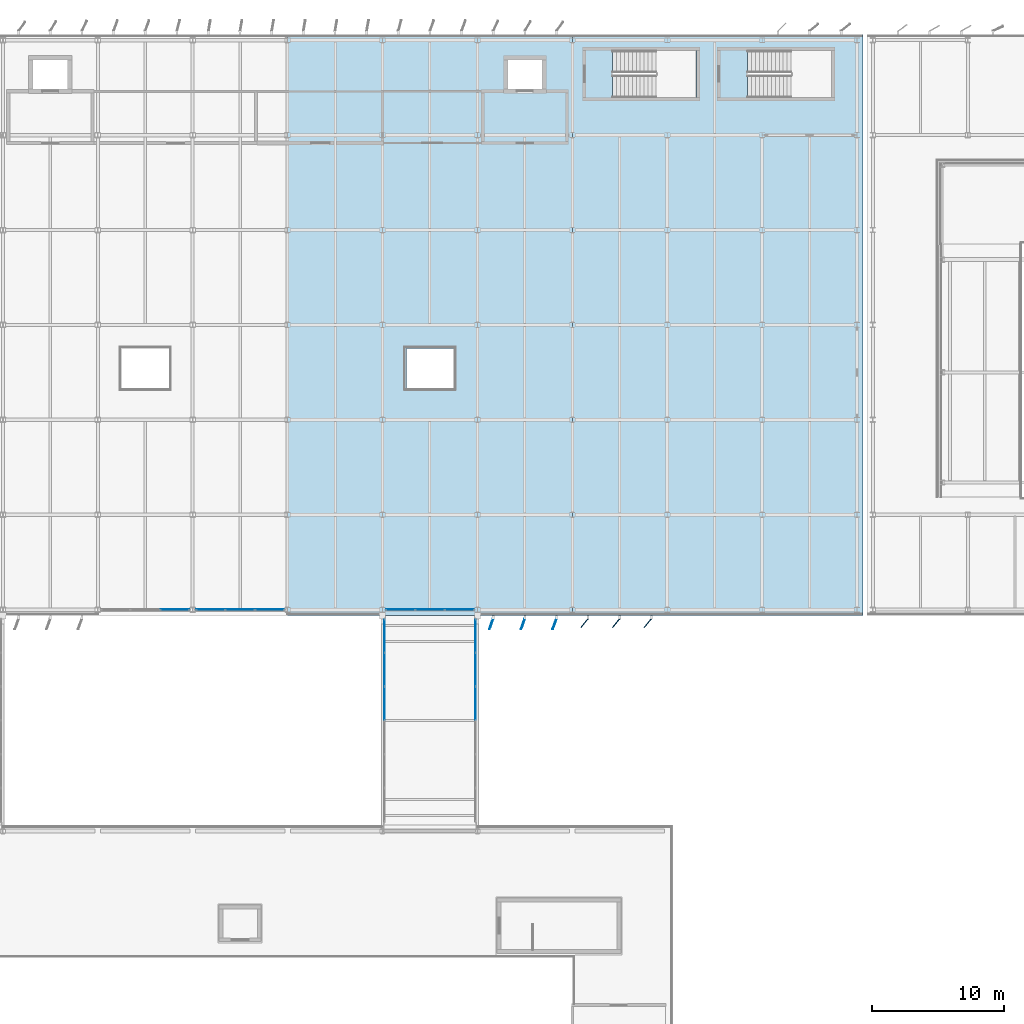
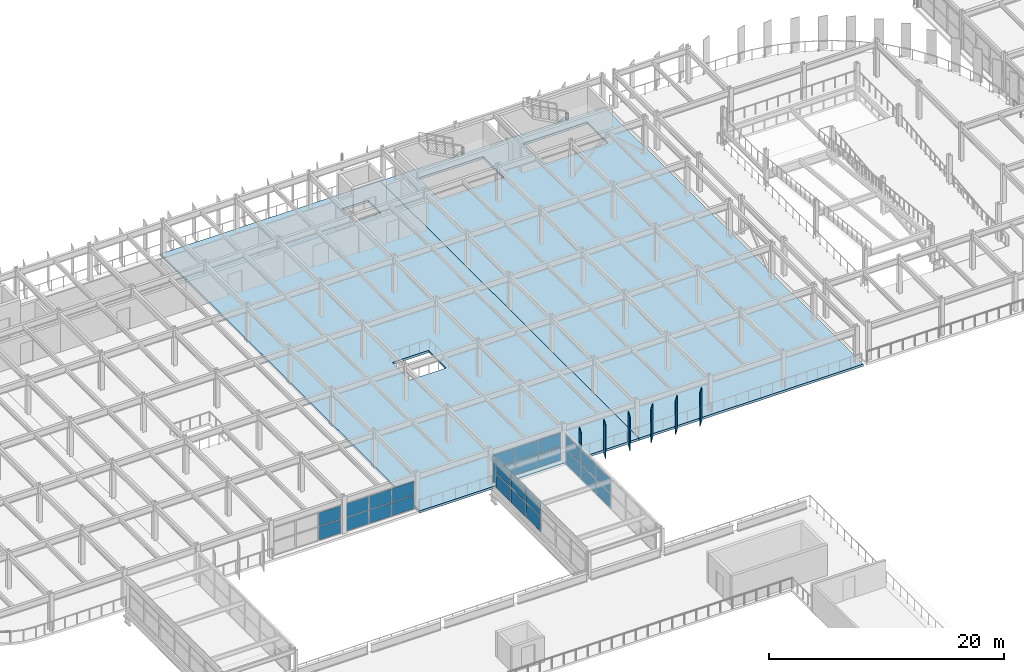
# One storey, part 54 of 93: 32 plates, 2 slabs, 5 elements without a shape of their own.
"""IFC4 building model written with IfcOpenShell, lengths in metres."""

import ifcopenshell
import ifcopenshell.guid

model = None  # the IFC model being written
_history = None  # IfcOwnerHistory: only IFC2X3 demands one
_inside = {}  # id of a spatial element -> (the spatial element, [elements in it])
_under = {}  # id of a project, library or spatial element -> (it, [spatial elements below it])
_declared = {}  # id of a project -> (the project, [libraries it declares])
_typed = {}  # id of a type object -> (the type object, [elements of that type])
_made_of = {}  # id of a material, layer set ... -> (it, [elements and type objects made of it])


def new_model(schema):
    """Start an empty IFC model of exactly this schema.

    Asked for "IFC4X3", IfcOpenShell would pick the latest addendum, in which some entities
    have other attributes; the version numbers below select the first issue.
    IFC2X3 requires an IfcOwnerHistory on every rooted entity: one is made here for all.
    """
    global model, _history
    if schema == "IFC4X3":
        model = ifcopenshell.file(schema_version=(4, 3, 0, 0))
    else:
        model = ifcopenshell.file(schema=schema)
    _inside.clear()
    _under.clear()
    _declared.clear()
    _typed.clear()
    _made_of.clear()
    _history = None
    if model.schema == "IFC2X3":
        org = make("IfcOrganization", Name="unknown")
        user = make(
            "IfcPersonAndOrganization",
            ThePerson=make("IfcPerson", FamilyName="unknown"),
            TheOrganization=org,
        )
        app = make(
            "IfcApplication",
            ApplicationDeveloper=org,
            Version="unknown",
            ApplicationFullName="unknown",
            ApplicationIdentifier="unknown",
        )
        _history = make(
            "IfcOwnerHistory",
            OwningUser=user,
            OwningApplication=app,
            ChangeAction="ADDED",
            CreationDate=0,
        )
    return model


def make(cls, **values):
    """One entity of the class cls with the attributes given. An attribute that is None is left unset."""
    return model.create_entity(
        cls, **{name: value for name, value in values.items() if value is not None}
    )


def rooted(cls, **values):
    """An entity with a GlobalId (a new one), such as an element, a storey or a relation."""
    return make(cls, GlobalId=ifcopenshell.guid.new(), OwnerHistory=_history, **values)


def si_unit(unit_type, name, prefix=None):
    """IfcSIUnit, for example si_unit("LENGTHUNIT", "METRE", prefix="MILLI")."""
    return make("IfcSIUnit", UnitType=unit_type, Prefix=prefix, Name=name)


def assignment(units):
    """IfcUnitAssignment: the units of a project."""
    return None if units is None else make("IfcUnitAssignment", Units=units)


def point(xyz):
    """IfcCartesianPoint."""
    return None if xyz is None else make("IfcCartesianPoint", Coordinates=xyz)


def direction(xyz):
    """IfcDirection."""
    return None if xyz is None else make("IfcDirection", DirectionRatios=xyz)


def frame(location, z_axis=None, x_axis=None):
    """IfcAxis2Placement3D, a coordinate frame: its origin and axes. An axis left out is left unset."""
    return make(
        "IfcAxis2Placement3D",
        Location=point(location),
        Axis=direction(z_axis),
        RefDirection=direction(x_axis),
    )


def frame_2d(location, x_axis=None):
    """IfcAxis2Placement2D, a coordinate frame in the plane: its origin and x axis."""
    return make(
        "IfcAxis2Placement2D", Location=point(location), RefDirection=direction(x_axis)
    )


def origin():
    """The frame at (0, 0, 0) with its axes left unset."""
    return frame((0.0, 0.0, 0.0))


def origin_2d():
    """The frame at (0, 0) in the plane with its x axis left unset."""
    return frame_2d((0.0, 0.0))


def place(relative_to, where):
    """IfcLocalPlacement: puts the frame where relative to a parent placement (None: the world)."""
    return make(
        "IfcLocalPlacement", PlacementRelTo=relative_to, RelativePlacement=where
    )


def context(
    kind, dimensions, precision=None, world=None, true_north=None, identifier=None
):
    """IfcGeometricRepresentationContext, for example the 3D "Model" context."""
    return make(
        "IfcGeometricRepresentationContext",
        ContextIdentifier=identifier,
        ContextType=kind,
        CoordinateSpaceDimension=dimensions,
        Precision=precision,
        WorldCoordinateSystem=world,
        TrueNorth=true_north,
    )


def subcontext(parent, identifier, kind, view, scale=None):
    """IfcGeometricRepresentationSubContext, for example "Body" below "Model"."""
    return make(
        "IfcGeometricRepresentationSubContext",
        ContextIdentifier=identifier,
        ContextType=kind,
        ParentContext=parent,
        TargetScale=scale,
        TargetView=view,
    )


def project(units=None, contexts=None):
    """IfcProject with its units and contexts."""
    return rooted(
        "IfcProject",
        Name="project",
        RepresentationContexts=contexts,
        UnitsInContext=assignment(units),
    )


def spatial(cls, under=None, at=None, **own):
    """A site, building, storey or space (cls), placed at a placement, below another one or the project."""
    s = rooted(cls, ObjectPlacement=at, **own)
    if under is not None:
        _under.setdefault(under.id(), (under, []))[1].append(s)
    return s


def polyline(points):
    """IfcPolyline through the points."""
    return make("IfcPolyline", Points=[point(p) for p in points])


def profile(cls, at=None, kind="AREA", **sizes):
    """A parametric profile (cls). Its sizes go by their IFC names, for example OverallWidth=200.0."""
    return make(cls, ProfileType=kind, Position=at, **sizes)


def rectangle(**sizes):
    """IfcRectangleProfileDef."""
    return profile("IfcRectangleProfileDef", **sizes)


def outline(outer, holes=None, kind="AREA"):
    """IfcArbitraryClosedProfileDef: a profile drawn as a closed curve; with holes, ...WithVoids."""
    if holes is None:
        return make("IfcArbitraryClosedProfileDef", ProfileType=kind, OuterCurve=outer)
    return make(
        "IfcArbitraryProfileDefWithVoids",
        ProfileType=kind,
        OuterCurve=outer,
        InnerCurves=holes,
    )


def extrude(swept, where, along, depth):
    """IfcExtrudedAreaSolid: the profile swept, set in the frame where, extruded along a direction by depth."""
    return make(
        "IfcExtrudedAreaSolid",
        SweptArea=swept,
        Position=where,
        ExtrudedDirection=direction(along),
        Depth=depth,
    )


def shape(context_of_items, identifier, shape_type, items):
    """IfcShapeRepresentation: the items that make up one representation, for example the "Body"."""
    return make(
        "IfcShapeRepresentation",
        ContextOfItems=context_of_items,
        RepresentationIdentifier=identifier,
        RepresentationType=shape_type,
        Items=items,
    )


def material(Name=None, Category=None):
    """IfcMaterial."""
    return make("IfcMaterial", Name=Name, Category=Category)


def layer(
    of_material, thickness, ventilated=None, Name=None, Category=None, Priority=None
):
    """IfcMaterialLayer: one layer of a wall or slab, of a material (None: an air gap)."""
    return make(
        "IfcMaterialLayer",
        Material=of_material,
        LayerThickness=thickness,
        IsVentilated=ventilated,
        Name=Name,
        Category=Category,
        Priority=Priority,
    )


def layer_set(layers, Name=None):
    """IfcMaterialLayerSet."""
    return make("IfcMaterialLayerSet", MaterialLayers=layers, LayerSetName=Name)


def made_of(thing, what):
    """Note that an element or type object is made of a material, layer set ...; save() writes the relation."""
    if what is not None:
        _made_of.setdefault(what.id(), (what, []))[1].append(thing)
    return thing


def type_object(cls, material=None, **own):
    """A type object (cls), such as IfcWallType, which elements share."""
    return made_of(rooted(cls, **own), material)


def element(
    cls,
    number,
    at=None,
    inside=None,
    cuts=None,
    type_object=None,
    material=None,
    context=None,
    identifier="Body",
    shape_type=None,
    held_by="IfcProductDefinitionShape",
    body=None,
    shapes=None,
    **own,
):
    """One element of the class cls, such as IfcWall. Its Tag is "e" and its number.

    at: its placement. inside: the storey or other place that contains it. cuts: it is an
    opening in that element (IfcRelVoidsElement). A single representation is given by context,
    identifier, shape_type and body (its items); several are given by shapes. held_by: the class
    of the entity that holds the representations. save() writes the other relations.
    """
    e = rooted(cls, Tag="e%d" % number, ObjectPlacement=at, **own)
    if body is not None:
        shapes = [shape(context, identifier, shape_type, body)]
    if shapes is not None:
        e.Representation = make(held_by, Representations=shapes)
    if inside is not None:
        _inside.setdefault(inside.id(), (inside, []))[1].append(e)
    if cuts is not None:
        rooted(
            "IfcRelVoidsElement", RelatingBuildingElement=cuts, RelatedOpeningElement=e
        )
    if type_object is not None:
        _typed.setdefault(type_object.id(), (type_object, []))[1].append(e)
    return made_of(e, material)


def aggregate(whole, parts):
    """IfcRelAggregates: a whole, such as a stair, and the parts it consists of."""
    return rooted("IfcRelAggregates", RelatingObject=whole, RelatedObjects=parts)


def save(model, path):
    """Write the relations noted so far, then the file.

    IfcRelAggregates (storeys below a building ...), IfcRelContainedInSpatialStructure (elements
    in a storey), IfcRelDefinesByType, IfcRelAssociatesMaterial and IfcRelDeclares: one each for
    every whole, place, type object, material and project.
    """
    for whole, parts in _under.values():
        aggregate(whole, parts)
    for where, things in _inside.values():
        rooted(
            "IfcRelContainedInSpatialStructure",
            RelatedElements=things,
            RelatingStructure=where,
        )
    for kind, things in _typed.values():
        rooted("IfcRelDefinesByType", RelatedObjects=things, RelatingType=kind)
    for what, things in _made_of.values():
        rooted("IfcRelAssociatesMaterial", RelatedObjects=things, RelatingMaterial=what)
    for by, libraries in _declared.values():
        rooted("IfcRelDeclares", RelatingContext=by, RelatedDefinitions=libraries)
    model.write(path)


model = new_model("IFC4")

# Units and contexts
model_context = context("Model", 3, precision=1e-05, world=origin(), true_north=direction((0.0, 1.0)))
body_context = subcontext(model_context, "Body", "Model", "MODEL_VIEW")
ifc_project = project(units=[si_unit("LENGTHUNIT", "METRE"), si_unit("AREAUNIT", "SQUARE_METRE"), si_unit("VOLUMEUNIT", "CUBIC_METRE"), si_unit("PLANEANGLEUNIT", "RADIAN"), si_unit("MASSUNIT", "GRAM", prefix="KILO")], contexts=[model_context])

# Site, building, storey
site_placement = place(None, origin())
site = spatial("IfcSite", under=ifc_project, at=site_placement, CompositionType="ELEMENT")
building_placement = place(site_placement, origin())
building = spatial("IfcBuilding", under=site, at=building_placement, Name="Vaelcorin Mobility Hub", CompositionType="ELEMENT")
storey_placement = place(building_placement, frame((0.0, 0.0, 5.39990234375)))
storey = spatial("IfcBuildingStorey", under=building, at=storey_placement, Name="L01", CompositionType="ELEMENT", Elevation=5.39990234375)

# Curtain wall, plates
ifc_material_1 = material(Name="Anodised aluminium 6063-T6", Category="aluminium")
curtain_wall_type_1 = type_object("IfcCurtainWallType", Name="CW-MOB-A", PredefinedType="NOTDEFINED", material=ifc_material_1)
curtain_wall_1_placement = place(storey_placement, origin())
curtain_wall_1 = element("IfcCurtainWall", 1, at=curtain_wall_1_placement, inside=storey, type_object=curtain_wall_type_1, Name="L01 Curtain Wall CW-V4-L01-S-05", PredefinedType="NOTDEFINED")
ifc_material_2 = material(Name="Low-E solar-control insulated glazing", Category="glass")
ifc_layer_1 = layer(ifc_material_2, 0.028076171875)
ifc_layer_set_1 = layer_set([ifc_layer_1], Name="Low-E solar-control insulated glazing")
plate_type_1 = type_object("IfcPlateType", Name="CW-PAN-GLZ28", PredefinedType="CURTAIN_PANEL", material=ifc_layer_set_1)
plate_1_placement = place(storey_placement, frame((70.638427734375, 76.800048828125, 0.06005859375), z_axis=(0.0, 0.0, 1.0), x_axis=(-1.0, 0.0, 0.0)))
plate_1 = element("IfcPlate", 2, at=plate_1_placement, type_object=plate_type_1, Name="CW7 panel 1.1", PredefinedType="CURTAIN_PANEL", context=body_context, shape_type="SweptSolid", body=[
    extrude(rectangle(XDim=2.163330078125, YDim=0.028076171875, at=origin_2d()), origin(), (0.0, 0.0, 1.0), 1.39599609375),
])
plate_2_placement = place(storey_placement, frame((70.638427734375, 76.800048828125, 1.51611328125), z_axis=(0.0, 0.0, 1.0), x_axis=(-1.0, 0.0, 0.0)))
plate_2 = element("IfcPlate", 3, at=plate_2_placement, type_object=plate_type_1, Name="CW7 panel 1.2", PredefinedType="CURTAIN_PANEL", context=body_context, shape_type="SweptSolid", body=[
    extrude(rectangle(XDim=2.163330078125, YDim=0.028076171875, at=origin_2d()), origin(), (0.0, 0.0, 1.0), 1.39599609375),
])
aggregate(curtain_wall_1, [plate_1, plate_2])

curtain_wall_2_placement = place(storey_placement, origin())
curtain_wall_2 = element("IfcCurtainWall", 4, at=curtain_wall_2_placement, inside=storey, type_object=curtain_wall_type_1, Name="L01 Curtain Wall CW-V4-L01-S-06", PredefinedType="NOTDEFINED")
plate_3_placement = place(storey_placement, frame((77.83837890625, 76.800048828125, 0.06005859375), z_axis=(0.0, 0.0, 1.0), x_axis=(-1.0, 0.0, 0.0)))
plate_3 = element("IfcPlate", 5, at=plate_3_placement, type_object=plate_type_1, Name="CW7 panel 1.1", PredefinedType="CURTAIN_PANEL", context=body_context, shape_type="SweptSolid", body=[
    extrude(rectangle(XDim=2.163330078125, YDim=0.028076171875, at=origin_2d()), origin(), (0.0, 0.0, 1.0), 1.39599609375),
])
plate_4_placement = place(storey_placement, frame((77.83837890625, 76.800048828125, 1.51611328125), z_axis=(0.0, 0.0, 1.0), x_axis=(-1.0, 0.0, 0.0)))
plate_4 = element("IfcPlate", 6, at=plate_4_placement, type_object=plate_type_1, Name="CW7 panel 1.2", PredefinedType="CURTAIN_PANEL", context=body_context, shape_type="SweptSolid", body=[
    extrude(rectangle(XDim=2.163330078125, YDim=0.028076171875, at=origin_2d()), origin(), (0.0, 0.0, 1.0), 1.39599609375),
])
plate_5_placement = place(storey_placement, frame((75.60009765625, 76.800048828125, 0.06005859375), z_axis=(0.0, 0.0, 1.0), x_axis=(-1.0, 0.0, 0.0)))
plate_5 = element("IfcPlate", 7, at=plate_5_placement, type_object=plate_type_1, Name="CW7 panel 2.1", PredefinedType="CURTAIN_PANEL", context=body_context, shape_type="SweptSolid", body=[
    extrude(rectangle(XDim=2.193359375, YDim=0.028076171875, at=origin_2d()), origin(), (0.0, 0.0, 1.0), 1.39599609375),
])
plate_6_placement = place(storey_placement, frame((75.60009765625, 76.800048828125, 1.51611328125), z_axis=(0.0, 0.0, 1.0), x_axis=(-1.0, 0.0, 0.0)))
plate_6 = element("IfcPlate", 8, at=plate_6_placement, type_object=plate_type_1, Name="CW7 panel 2.2", PredefinedType="CURTAIN_PANEL", context=body_context, shape_type="SweptSolid", body=[
    extrude(rectangle(XDim=2.193359375, YDim=0.028076171875, at=origin_2d()), origin(), (0.0, 0.0, 1.0), 1.39599609375),
])
plate_7_placement = place(storey_placement, frame((73.361572265625, 76.800048828125, 0.06005859375), z_axis=(0.0, 0.0, 1.0), x_axis=(-1.0, 0.0, 0.0)))
plate_7 = element("IfcPlate", 9, at=plate_7_placement, type_object=plate_type_1, Name="CW7 panel 3.1", PredefinedType="CURTAIN_PANEL", context=body_context, shape_type="SweptSolid", body=[
    extrude(rectangle(XDim=2.163330078125, YDim=0.028076171875, at=origin_2d()), origin(), (0.0, 0.0, 1.0), 1.39599609375),
])
plate_8_placement = place(storey_placement, frame((73.361572265625, 76.800048828125, 1.51611328125), z_axis=(0.0, 0.0, 1.0), x_axis=(-1.0, 0.0, 0.0)))
plate_8 = element("IfcPlate", 10, at=plate_8_placement, type_object=plate_type_1, Name="CW7 panel 3.2", PredefinedType="CURTAIN_PANEL", context=body_context, shape_type="SweptSolid", body=[
    extrude(rectangle(XDim=2.163330078125, YDim=0.028076171875, at=origin_2d()), origin(), (0.0, 0.0, 1.0), 1.39599609375),
])
aggregate(curtain_wall_2, [plate_3, plate_4, plate_5, plate_6, plate_7, plate_8])

curtain_wall_3_placement = place(storey_placement, origin())
curtain_wall_3 = element("IfcCurtainWall", 11, at=curtain_wall_3_placement, inside=storey, type_object=curtain_wall_type_1, Name="L01 Curtain Wall CW-V4-L01-S-08", PredefinedType="NOTDEFINED")
plate_9_placement = place(storey_placement, frame((92.23828125, 76.800048828125, 0.06005859375), z_axis=(0.0, 0.0, 1.0), x_axis=(-1.0, 0.0, 0.0)))
plate_9 = element("IfcPlate", 12, at=plate_9_placement, type_object=plate_type_1, Name="CW7 panel 1.1", PredefinedType="CURTAIN_PANEL", context=body_context, shape_type="SweptSolid", body=[
    extrude(rectangle(XDim=2.163330078125, YDim=0.028076171875, at=origin_2d()), origin(), (0.0, 0.0, 1.0), 1.39599609375),
])
plate_10_placement = place(storey_placement, frame((92.23828125, 76.800048828125, 1.51611328125), z_axis=(0.0, 0.0, 1.0), x_axis=(-1.0, 0.0, 0.0)))
plate_10 = element("IfcPlate", 13, at=plate_10_placement, type_object=plate_type_1, Name="CW7 panel 1.2", PredefinedType="CURTAIN_PANEL", context=body_context, shape_type="SweptSolid", body=[
    extrude(rectangle(XDim=2.163330078125, YDim=0.028076171875, at=origin_2d()), origin(), (0.0, 0.0, 1.0), 1.39599609375),
])
plate_11_placement = place(storey_placement, frame((90.0, 76.800048828125, 0.06005859375), z_axis=(0.0, 0.0, 1.0), x_axis=(-1.0, 0.0, 0.0)))
plate_11 = element("IfcPlate", 14, at=plate_11_placement, type_object=plate_type_1, Name="CW7 panel 2.1", PredefinedType="CURTAIN_PANEL", context=body_context, shape_type="SweptSolid", body=[
    extrude(rectangle(XDim=2.193359375, YDim=0.028076171875, at=origin_2d()), origin(), (0.0, 0.0, 1.0), 1.39599609375),
])
plate_12_placement = place(storey_placement, frame((90.0, 76.800048828125, 1.51611328125), z_axis=(0.0, 0.0, 1.0), x_axis=(-1.0, 0.0, 0.0)))
plate_12 = element("IfcPlate", 15, at=plate_12_placement, type_object=plate_type_1, Name="CW7 panel 2.2", PredefinedType="CURTAIN_PANEL", context=body_context, shape_type="SweptSolid", body=[
    extrude(rectangle(XDim=2.193359375, YDim=0.028076171875, at=origin_2d()), origin(), (0.0, 0.0, 1.0), 1.39599609375),
])
plate_13_placement = place(storey_placement, frame((87.76171875, 76.800048828125, 0.06005859375), z_axis=(0.0, 0.0, 1.0), x_axis=(-1.0, 0.0, 0.0)))
plate_13 = element("IfcPlate", 16, at=plate_13_placement, type_object=plate_type_1, Name="CW7 panel 3.1", PredefinedType="CURTAIN_PANEL", context=body_context, shape_type="SweptSolid", body=[
    extrude(rectangle(XDim=2.163330078125, YDim=0.028076171875, at=origin_2d()), origin(), (0.0, 0.0, 1.0), 1.39599609375),
])
plate_14_placement = place(storey_placement, frame((87.76171875, 76.800048828125, 1.51611328125), z_axis=(0.0, 0.0, 1.0), x_axis=(-1.0, 0.0, 0.0)))
plate_14 = element("IfcPlate", 17, at=plate_14_placement, type_object=plate_type_1, Name="CW7 panel 3.2", PredefinedType="CURTAIN_PANEL", context=body_context, shape_type="SweptSolid", body=[
    extrude(rectangle(XDim=2.163330078125, YDim=0.028076171875, at=origin_2d()), origin(), (0.0, 0.0, 1.0), 1.39599609375),
])
aggregate(curtain_wall_3, [plate_9, plate_10, plate_11, plate_12, plate_13, plate_14])

curtain_wall_type_2 = type_object("IfcCurtainWallType", Name="CW-BRG-A", PredefinedType="NOTDEFINED", material=ifc_material_1)
curtain_wall_4_placement = place(storey_placement, origin())
curtain_wall_4 = element("IfcCurtainWall", 18, at=curtain_wall_4_placement, inside=storey, type_object=curtain_wall_type_2, Name="L01 Curtain Wall CW-LB2-W", PredefinedType="NOTDEFINED")
plate_15_placement = place(storey_placement, frame((86.550048828125, 69.683349609375, 0.06005859375), z_axis=(0.0, 0.0, 1.0), x_axis=(0.0, 1.0, 0.0)))
plate_15 = element("IfcPlate", 19, at=plate_15_placement, type_object=plate_type_1, Name="CW8 panel 4.1", PredefinedType="CURTAIN_PANEL", context=body_context, shape_type="SweptSolid", body=[
    extrude(rectangle(XDim=2.506591796875, YDim=0.028076171875, at=origin_2d()), origin(), (0.0, 0.0, 1.0), 1.510009765625),
])
plate_16_placement = place(storey_placement, frame((86.550048828125, 69.683349609375, 1.6298828125), z_axis=(0.0, 0.0, 1.0), x_axis=(0.0, 1.0, 0.0)))
plate_16 = element("IfcPlate", 20, at=plate_16_placement, type_object=plate_type_1, Name="CW8 panel 4.2", PredefinedType="CURTAIN_PANEL", context=body_context, shape_type="SweptSolid", body=[
    extrude(rectangle(XDim=2.506591796875, YDim=0.028076171875, at=origin_2d()), origin(), (0.0, 0.0, 1.0), 1.510009765625),
])
plate_17_placement = place(storey_placement, frame((86.550048828125, 72.25, 0.06005859375), z_axis=(0.0, 0.0, 1.0), x_axis=(0.0, 1.0, 0.0)))
plate_17 = element("IfcPlate", 21, at=plate_17_placement, type_object=plate_type_1, Name="CW8 panel 5.1", PredefinedType="CURTAIN_PANEL", context=body_context, shape_type="SweptSolid", body=[
    extrude(rectangle(XDim=2.506591796875, YDim=0.028076171875, at=origin_2d()), origin(), (0.0, 0.0, 1.0), 1.510009765625),
])
plate_18_placement = place(storey_placement, frame((86.550048828125, 72.25, 1.6298828125), z_axis=(0.0, 0.0, 1.0), x_axis=(0.0, 1.0, 0.0)))
plate_18 = element("IfcPlate", 22, at=plate_18_placement, type_object=plate_type_1, Name="CW8 panel 5.2", PredefinedType="CURTAIN_PANEL", context=body_context, shape_type="SweptSolid", body=[
    extrude(rectangle(XDim=2.506591796875, YDim=0.028076171875, at=origin_2d()), origin(), (0.0, 0.0, 1.0), 1.510009765625),
])
plate_19_placement = place(storey_placement, frame((86.550048828125, 74.8017578125, 0.06005859375), z_axis=(0.0, 0.0, 1.0), x_axis=(0.0, 1.0, 0.0)))
plate_19 = element("IfcPlate", 23, at=plate_19_placement, type_object=plate_type_1, Name="CW8 panel 6.1", PredefinedType="CURTAIN_PANEL", context=body_context, shape_type="SweptSolid", body=[
    extrude(rectangle(XDim=2.4765625, YDim=0.028076171875, at=origin_2d()), origin(), (0.0, 0.0, 1.0), 1.510009765625),
])
plate_20_placement = place(storey_placement, frame((86.550048828125, 74.8017578125, 1.6298828125), z_axis=(0.0, 0.0, 1.0), x_axis=(0.0, 1.0, 0.0)))
plate_20 = element("IfcPlate", 24, at=plate_20_placement, type_object=plate_type_1, Name="CW8 panel 6.2", PredefinedType="CURTAIN_PANEL", context=body_context, shape_type="SweptSolid", body=[
    extrude(rectangle(XDim=2.4765625, YDim=0.028076171875, at=origin_2d()), origin(), (0.0, 0.0, 1.0), 1.510009765625),
])
aggregate(curtain_wall_4, [plate_15, plate_16, plate_17, plate_18, plate_19, plate_20])

curtain_wall_5_placement = place(storey_placement, origin())
curtain_wall_5 = element("IfcCurtainWall", 25, at=curtain_wall_5_placement, inside=storey, type_object=curtain_wall_type_2, Name="L01 Curtain Wall CW-LB2-E", PredefinedType="NOTDEFINED")
plate_21_placement = place(storey_placement, frame((93.449951171875, 74.8017578125, 0.06005859375), z_axis=(0.0, 0.0, 1.0), x_axis=(0.0, -1.0, 0.0)))
plate_21 = element("IfcPlate", 26, at=plate_21_placement, type_object=plate_type_1, Name="CW8 panel 1.1", PredefinedType="CURTAIN_PANEL", context=body_context, shape_type="SweptSolid", body=[
    extrude(rectangle(XDim=2.4765625, YDim=0.028076171875, at=origin_2d()), origin(), (0.0, 0.0, 1.0), 1.510009765625),
])
plate_22_placement = place(storey_placement, frame((93.449951171875, 74.8017578125, 1.6298828125), z_axis=(0.0, 0.0, 1.0), x_axis=(0.0, -1.0, 0.0)))
plate_22 = element("IfcPlate", 27, at=plate_22_placement, type_object=plate_type_1, Name="CW8 panel 1.2", PredefinedType="CURTAIN_PANEL", context=body_context, shape_type="SweptSolid", body=[
    extrude(rectangle(XDim=2.4765625, YDim=0.028076171875, at=origin_2d()), origin(), (0.0, 0.0, 1.0), 1.510009765625),
])
plate_23_placement = place(storey_placement, frame((93.449951171875, 72.25, 0.06005859375), z_axis=(0.0, 0.0, 1.0), x_axis=(0.0, -1.0, 0.0)))
plate_23 = element("IfcPlate", 28, at=plate_23_placement, type_object=plate_type_1, Name="CW8 panel 2.1", PredefinedType="CURTAIN_PANEL", context=body_context, shape_type="SweptSolid", body=[
    extrude(rectangle(XDim=2.506591796875, YDim=0.028076171875, at=origin_2d()), origin(), (0.0, 0.0, 1.0), 1.510009765625),
])
plate_24_placement = place(storey_placement, frame((93.449951171875, 72.25, 1.6298828125), z_axis=(0.0, 0.0, 1.0), x_axis=(0.0, -1.0, 0.0)))
plate_24 = element("IfcPlate", 29, at=plate_24_placement, type_object=plate_type_1, Name="CW8 panel 2.2", PredefinedType="CURTAIN_PANEL", context=body_context, shape_type="SweptSolid", body=[
    extrude(rectangle(XDim=2.506591796875, YDim=0.028076171875, at=origin_2d()), origin(), (0.0, 0.0, 1.0), 1.510009765625),
])
plate_25_placement = place(storey_placement, frame((93.449951171875, 69.683349609375, 0.06005859375), z_axis=(0.0, 0.0, 1.0), x_axis=(0.0, -1.0, 0.0)))
plate_25 = element("IfcPlate", 30, at=plate_25_placement, type_object=plate_type_1, Name="CW8 panel 3.1", PredefinedType="CURTAIN_PANEL", context=body_context, shape_type="SweptSolid", body=[
    extrude(rectangle(XDim=2.506591796875, YDim=0.028076171875, at=origin_2d()), origin(), (0.0, 0.0, 1.0), 1.510009765625),
])
plate_26_placement = place(storey_placement, frame((93.449951171875, 69.683349609375, 1.6298828125), z_axis=(0.0, 0.0, 1.0), x_axis=(0.0, -1.0, 0.0)))
plate_26 = element("IfcPlate", 31, at=plate_26_placement, type_object=plate_type_1, Name="CW8 panel 3.2", PredefinedType="CURTAIN_PANEL", context=body_context, shape_type="SweptSolid", body=[
    extrude(rectangle(XDim=2.506591796875, YDim=0.028076171875, at=origin_2d()), origin(), (0.0, 0.0, 1.0), 1.510009765625),
])
aggregate(curtain_wall_5, [plate_21, plate_22, plate_23, plate_24, plate_25, plate_26])

# Plates
ifc_material_3 = material(Name="Perforated terracotta-bronze aluminium aerofoil", Category="masonry")
ifc_layer_2 = layer(ifc_material_3, 0.06494140625)
ifc_layer_set_2 = layer_set([ifc_layer_2], Name="Perforated terracotta-bronze aluminium aerofoil")
plate_type_2 = type_object("IfcPlateType", Name="PL-FIN-AF2", PredefinedType="SHEET", material=ifc_layer_set_2)
for number, where, z_axis, x_axis, name in (
    (32, (99.455078125, 75.7109375, -0.159912109375), (0.0, 0.0, 1.0), (-0.342020143326, -0.939692620786, 0.0), "Rotating Terracotta-Bronze Aerofoil Fin FIN-V4-L01-S-09-AF-01"),
    (33, (97.054931640625, 75.7109375, -0.159912109375), (0.0, 0.0, 1.0), (-0.342020143326, -0.939692620786, 0.0), "Rotating Terracotta-Bronze Aerofoil Fin FIN-V4-L01-S-09-AF-02"),
    (34, (94.655029296875, 75.7109375, -0.159912109375), (0.0, 0.0, 1.0), (-0.342020143326, -0.939692620786, 0.0), "Rotating Terracotta-Bronze Aerofoil Fin FIN-V4-L01-S-09-AF-03"),
    (35, (106.527099609375, 75.783935546875, -0.159912109375), (0.0, 0.0, 1.0), (-0.642787609687, -0.766044443119, 0.0), "Rotating Terracotta-Bronze Aerofoil Fin FIN-V4-L01-S-10-AF-01"),
    (36, (104.126953125, 75.783935546875, -0.159912109375), (0.0, 0.0, 1.0), (-0.642787609687, -0.766044443119, 0.0), "Rotating Terracotta-Bronze Aerofoil Fin FIN-V4-L01-S-10-AF-02"),
    (37, (101.72705078125, 75.783935546875, -0.159912109375), (0.0, 0.0, 1.0), (-0.642787609687, -0.766044443119, 0.0), "Rotating Terracotta-Bronze Aerofoil Fin FIN-V4-L01-S-10-AF-03"),
):
    element("IfcPlate", number, at=place(storey_placement, frame(where, z_axis=z_axis, x_axis=x_axis)), inside=storey, type_object=plate_type_2, Name=name, PredefinedType="SHEET", context=body_context, shape_type="SweptSolid", body=[
        extrude(rectangle(XDim=0.85009765625, YDim=0.06494140625, at=origin_2d()), origin(), (0.0, 0.0, 1.0), 3.5),
    ])

# Slabs
ifc_material_4 = material(Name="Concrete f'c 35 MPa", Category="concrete")
ifc_layer_3 = layer(ifc_material_4, 0.239990234375)
ifc_layer_set_3 = layer_set([ifc_layer_3], Name="Concrete f'c 35 MPa")
slab_type = type_object("IfcSlabType", Name="SLAB-PK2", PredefinedType="FLOOR", material=ifc_layer_set_3)
slab_1_placement = place(storey_placement, frame((0.0, 0.0, -0.239990234375)))
element("IfcSlab", 38, at=slab_1_placement, inside=storey, type_object=slab_type, Name="L01 EV Mobility Deck SL-V4-L01-Q3", PredefinedType="FLOOR", context=body_context, shape_type="SweptSolid", body=[
    extrude(outline(polyline([(79.199951171875, 120.449951171875), (100.800048828125, 120.449951171875), (100.800048828125, 76.35009765625), (79.199951171875, 76.35009765625), (79.199951171875, 120.449951171875)]), holes=[polyline([(91.800048828125, 96.60009765625), (88.199951171875, 96.60009765625), (88.199951171875, 93.60009765625), (91.800048828125, 93.60009765625), (91.800048828125, 96.60009765625)]), polyline([(98.5, 118.5), (95.89990234375, 118.5), (95.89990234375, 116.300048828125), (98.5, 116.300048828125), (98.5, 118.5)])]), origin(), (0.0, 0.0, 1.0), 0.239990234375),
])
slab_2_placement = place(storey_placement, frame((0.0, 0.0, -0.239990234375)))
element("IfcSlab", 39, at=slab_2_placement, inside=storey, type_object=slab_type, Name="L01 EV Mobility Deck SL-V4-L01-Q4", PredefinedType="FLOOR", context=body_context, shape_type="SweptSolid", body=[
    extrude(outline(polyline([(100.800048828125, 120.449951171875), (122.85009765625, 120.449951171875), (122.85009765625, 76.35009765625), (100.800048828125, 76.35009765625), (100.800048828125, 120.449951171875)]), holes=[polyline([(110.199951171875, 119.2099609375), (103.85498046875, 119.2099609375), (103.85498046875, 115.64990234375), (110.199951171875, 115.64990234375), (110.199951171875, 119.2099609375)]), polyline([(120.449951171875, 115.64990234375), (120.449951171875, 119.2099609375), (114.10498046875, 119.2099609375), (114.10498046875, 115.64990234375), (120.449951171875, 115.64990234375)])]), origin(), (0.0, 0.0, 1.0), 0.239990234375),
])

save(model, "model.ifc")
